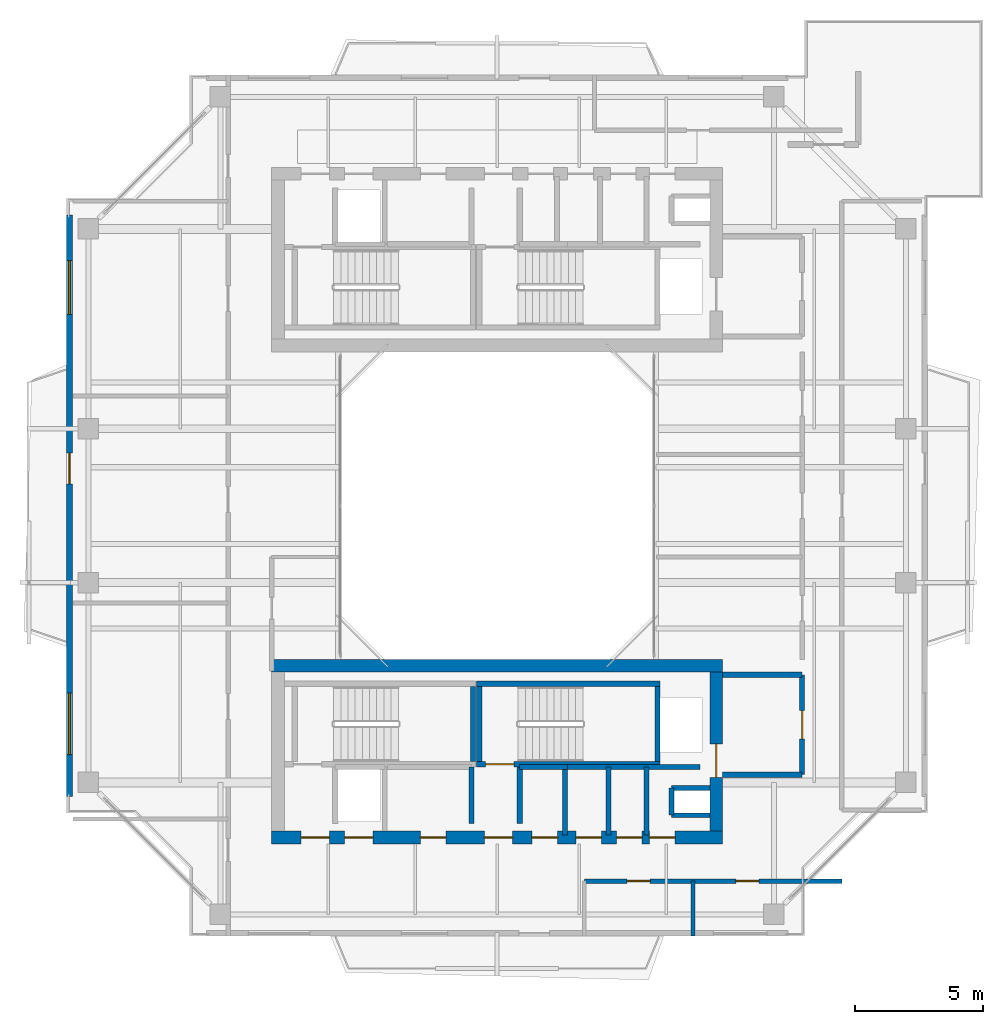
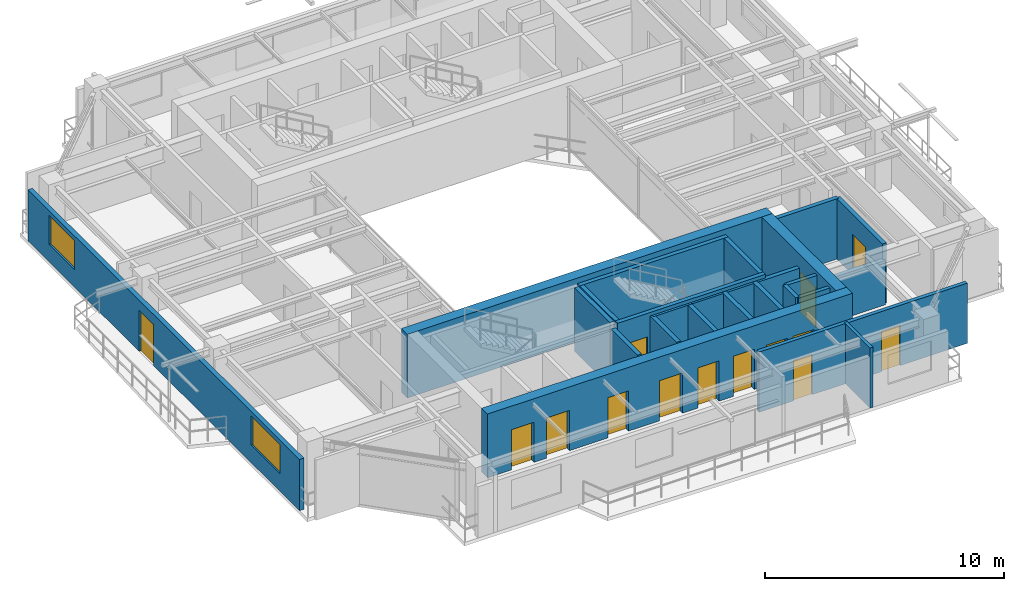
# One storey, part 10 of 16: 24 walls, 14 doors, 2 windows, 16 openings.
"""IFC4 building model written with IfcOpenShell, lengths in metres."""

from ifc_helpers import new_model, si_unit, direction, frame, frame_2d, origin, place, context, subcontext, project, spatial, rectangle, extrude, source, transform, mapped, material, layer, layer_set, type_object, element, fill, save


model = new_model("IFC4")

# Units and contexts
model_context = context("Model", 3, precision=1e-05, world=origin(), true_north=direction((0.0, 1.0)))
body_context = subcontext(model_context, "Body", "Model", "MODEL_VIEW")
ifc_project = project(units=[si_unit("LENGTHUNIT", "METRE"), si_unit("AREAUNIT", "SQUARE_METRE"), si_unit("VOLUMEUNIT", "CUBIC_METRE"), si_unit("PLANEANGLEUNIT", "RADIAN"), si_unit("MASSUNIT", "GRAM", prefix="KILO"), si_unit("THERMODYNAMICTEMPERATUREUNIT", "KELVIN"), si_unit("POWERUNIT", "WATT")], contexts=[model_context])

# Site, building, storey
site_placement = place(None, origin())
site = spatial("IfcSite", under=ifc_project, at=site_placement, CompositionType="ELEMENT")
building_placement = place(site_placement, origin())
building = spatial("IfcBuilding", under=site, at=building_placement, Name="Qiaomeng Ring Towers", CompositionType="ELEMENT")
storey_placement = place(building_placement, frame((0.0, 0.0, 223.0)))
storey = spatial("IfcBuildingStorey", under=building, at=storey_placement, Name="L65", CompositionType="ELEMENT", Elevation=223.0)

# Wall, openings, windows, door
ifc_material_1 = material(Name="Precast concrete C40", Category="concrete")
ifc_layer_1 = layer(ifc_material_1, 0.219970703125, Name="Precast concrete C40")
ifc_layer_set_1 = layer_set([ifc_layer_1], Name="Precast concrete C40")
wall_type_1 = type_object("IfcWallType", Name="ARC-WL-EW2", PredefinedType="STANDARD", material=ifc_layer_set_1)
wall_1_placement = place(storey_placement, frame((2.31005859375, 11.64990234375, 0.0), z_axis=(0.0, 0.0, 1.0), x_axis=(0.0, 1.0, 0.0)))
wall_1 = element("IfcWall", 1, at=wall_1_placement, inside=storey, type_object=wall_type_1, Name="L65 Tower 1 W Exterior Wall", PredefinedType="STANDARD", context=body_context, shape_type="SweptSolid", body=[
    extrude(rectangle(XDim=22.7001953125, YDim=0.219970703125, at=frame_2d((11.35009765625, 0.0))), origin(), (0.0, 0.0, 1.0), 2.610107421875),
])
opening_1_placement = place(wall_1_placement, frame((12.199951171875, 0.0, 0.0)))
opening_1 = element("IfcOpeningElement", 2, at=opening_1_placement, cuts=wall_1, Name="Opening BD1", PredefinedType="OPENING", context=body_context, shape_type="SweptSolid", body=[
    extrude(rectangle(XDim=1.199951171875, YDim=2.10009765625, at=frame_2d((0.60009765625, 1.050048828125))), frame((0.0, 0.119873046875, 0.0), z_axis=(0.0, -1.0, 0.0), x_axis=(1.0, 0.0, 0.0)), (0.0, 0.0, 1.0), 0.239990234375),
])
opening_2_placement = place(wall_1_placement, frame((1.637939453125, 0.0, 0.89990234375)))
opening_2 = element("IfcOpeningElement", 3, at=opening_2_placement, cuts=wall_1, Name="Opening WN6", PredefinedType="OPENING", context=body_context, shape_type="SweptSolid", body=[
    extrude(rectangle(XDim=2.39990234375, YDim=1.47998046875, at=frame_2d((1.199951171875, 0.739990234375))), frame((0.0, 0.119873046875, 0.0), z_axis=(0.0, -1.0, 0.0), x_axis=(1.0, 0.0, 0.0)), (0.0, 0.0, 1.0), 0.239990234375),
])
opening_3_placement = place(wall_1_placement, frame((18.81298828125, 0.0, 0.89990234375)))
opening_3 = element("IfcOpeningElement", 4, at=opening_3_placement, cuts=wall_1, Name="Opening WN4", PredefinedType="OPENING", context=body_context, shape_type="SweptSolid", body=[
    extrude(rectangle(XDim=2.10009765625, YDim=1.47998046875, at=frame_2d((1.050048828125, 0.739990234375))), frame((0.0, 0.119873046875, 0.0), z_axis=(0.0, -1.0, 0.0), x_axis=(1.0, 0.0, 0.0)), (0.0, 0.0, 1.0), 0.239990234375),
])
ifc_material_2 = material(Name="Low-E dark-grey laminated double glazing", Category="glass")
window_type_1 = type_object("IfcWindowType", Name="ARC-WN-4", PartitioningType="TRIPLE_PANEL_VERTICAL", PredefinedType="WINDOW", material=ifc_material_2)
shared_shape_1 = source(origin(), body_context, "Body", "SweptSolid", [
    extrude(rectangle(XDim=2.10009765625, YDim=1.47998046875, at=frame_2d((1.050048828125, 0.739990234375))), frame((0.0, 0.030029296875, 0.0), z_axis=(0.0, -1.0, 0.0), x_axis=(1.0, 0.0, 0.0)), (0.0, 0.0, 1.0), 0.06005859375),
])
window_1_placement = place(opening_3_placement, origin())
window_1 = element("IfcWindow", 5, at=window_1_placement, inside=storey, type_object=window_type_1, Name="L65 Exterior Window WN4", OverallHeight=1.47998046875, OverallWidth=2.10009765625, PartitioningType="TRIPLE_PANEL_VERTICAL", PredefinedType="WINDOW", context=body_context, shape_type="MappedRepresentation", body=[
    mapped(shared_shape_1, transform((0.0, 0.0, 0.0), x_axis=(1.0, 0.0, 0.0), y_axis=(0.0, 1.0, 0.0), z_axis=(0.0, 0.0, 1.0), scale=1.0)),
])
fill(opening_3, window_1)
window_type_2 = type_object("IfcWindowType", Name="ARC-WN-6", PartitioningType="TRIPLE_PANEL_VERTICAL", PredefinedType="WINDOW", material=ifc_material_2)
shared_shape_2 = source(origin(), body_context, "Body", "SweptSolid", [
    extrude(rectangle(XDim=2.39990234375, YDim=1.47998046875, at=frame_2d((1.199951171875, 0.739990234375))), frame((0.0, 0.030029296875, 0.0), z_axis=(0.0, -1.0, 0.0), x_axis=(1.0, 0.0, 0.0)), (0.0, 0.0, 1.0), 0.06005859375),
])
window_2_placement = place(opening_2_placement, origin())
window_2 = element("IfcWindow", 6, at=window_2_placement, inside=storey, type_object=window_type_2, Name="L65 Exterior Window WN6", OverallHeight=1.47998046875, OverallWidth=2.39990234375, PartitioningType="TRIPLE_PANEL_VERTICAL", PredefinedType="WINDOW", context=body_context, shape_type="MappedRepresentation", body=[
    mapped(shared_shape_2, transform((0.0, 0.0, 0.0), x_axis=(1.0, 0.0, 0.0), y_axis=(0.0, 1.0, 0.0), z_axis=(0.0, 0.0, 1.0), scale=1.0)),
])
fill(opening_2, window_2)
door_type_1 = type_object("IfcDoorType", Name="ARC-DR-BD1", OperationType="NOTDEFINED", PredefinedType="DOOR", material=ifc_material_2)
shared_shape_3 = source(origin(), body_context, "Body", "SweptSolid", [
    extrude(rectangle(XDim=1.199951171875, YDim=2.10009765625, at=frame_2d((0.60009765625, 1.050048828125))), frame((0.0, 0.02490234375, 0.0), z_axis=(0.0, -1.0, 0.0), x_axis=(1.0, 0.0, 0.0)), (0.0, 0.0, 1.0), 0.050048828125),
])
door_1_placement = place(opening_1_placement, frame((1.199951171875, 0.0, 0.0), z_axis=(0.0, 0.0, 1.0), x_axis=(-1.0, 0.0, 0.0)))
door_1 = element("IfcDoor", 7, at=door_1_placement, inside=storey, type_object=door_type_1, Name="L65 W Balcony Glazed Door", OperationType="SINGLE_SWING_LEFT", OverallHeight=2.10009765625, OverallWidth=1.199951171875, PredefinedType="DOOR", context=body_context, shape_type="MappedRepresentation", body=[
    mapped(shared_shape_3, transform((0.0, 0.0, 0.0), x_axis=(1.0, 0.0, 0.0), y_axis=(0.0, 1.0, 0.0), z_axis=(0.0, 0.0, 1.0), scale=1.0)),
])
fill(opening_1, door_1)

# Walls
ifc_material_3 = material(Name="Autoclaved aerated concrete block", Category="concrete")
ifc_layer_2 = layer(ifc_material_3, 0.199951171875, Name="Autoclaved aerated concrete block")
ifc_layer_set_2 = layer_set([ifc_layer_2], Name="Autoclaved aerated concrete block")
wall_type_2 = type_object("IfcWallType", Name="ARC-WL-PW1", PredefinedType="PARTITIONING", material=ifc_layer_set_2)
wall_2_placement = place(storey_placement, frame((27.800048828125, 16.39990234375, 0.0), z_axis=(0.0, 0.0, 1.0), x_axis=(1.0, 0.0, 0.0)))
element("IfcWall", 8, at=wall_2_placement, inside=storey, type_object=wall_type_2, Name="L65 Interior Wall PW1", PredefinedType="PARTITIONING", context=body_context, shape_type="SweptSolid", body=[
    extrude(rectangle(XDim=3.099853515625, YDim=0.199951171875, at=frame_2d((1.5498046875, 0.0))), origin(), (0.0, 0.0, 1.0), 3.070068359375),
])
wall_3_placement = place(storey_placement, frame((27.800048828125, 12.5, 0.0), z_axis=(0.0, 0.0, 1.0), x_axis=(1.0, 0.0, 0.0)))
element("IfcWall", 9, at=wall_3_placement, inside=storey, type_object=wall_type_2, Name="L65 Interior Wall PW1", PredefinedType="PARTITIONING", context=body_context, shape_type="SweptSolid", body=[
    extrude(rectangle(XDim=3.099853515625, YDim=0.199951171875, at=frame_2d((1.5498046875, 0.0))), origin(), (0.0, 0.0, 1.0), 2.264892578125),
])

# Wall, opening, door
wall_4_placement = place(storey_placement, frame((30.89990234375, 12.5, 0.0), z_axis=(0.0, 0.0, 1.0), x_axis=(0.0, 1.0, 0.0)))
wall_4 = element("IfcWall", 10, at=wall_4_placement, inside=storey, type_object=wall_type_2, Name="L65 Interior Wall PW1", PredefinedType="PARTITIONING", context=body_context, shape_type="SweptSolid", body=[
    extrude(rectangle(XDim=3.89990234375, YDim=0.199951171875, at=frame_2d((1.949951171875, 0.0))), origin(), (0.0, 0.0, 1.0), 3.070068359375),
])
opening_4_placement = place(wall_4_placement, frame((1.39990234375, 0.0, 0.0)))
opening_4 = element("IfcOpeningElement", 11, at=opening_4_placement, cuts=wall_4, Name="Opening FD3", PredefinedType="OPENING", context=body_context, shape_type="SweptSolid", body=[
    extrude(rectangle(XDim=1.10009765625, YDim=2.050048828125, at=frame_2d((0.550048828125, 1.02490234375))), frame((0.0, 0.10986328125, 0.0), z_axis=(0.0, -1.0, 0.0), x_axis=(1.0, 0.0, 0.0)), (0.0, 0.0, 1.0), 0.219970703125),
])
ifc_material_4 = material(Name="Galvanised steel", Category="steel")
door_type_2 = type_object("IfcDoorType", Name="ARC-DR-FD3", OperationType="NOTDEFINED", PredefinedType="DOOR", material=ifc_material_4)
shared_shape_4 = source(origin(), body_context, "Body", "SweptSolid", [
    extrude(rectangle(XDim=1.10009765625, YDim=2.050048828125, at=frame_2d((0.550048828125, 1.02490234375))), frame((0.0, 0.02490234375, 0.0), z_axis=(0.0, -1.0, 0.0), x_axis=(1.0, 0.0, 0.0)), (0.0, 0.0, 1.0), 0.050048828125),
])
door_2_placement = place(opening_4_placement, origin())
door_2 = element("IfcDoor", 12, at=door_2_placement, inside=storey, type_object=door_type_2, Name="L65 South FF Lobby Door", OperationType="SINGLE_SWING_LEFT", OverallHeight=2.050048828125, OverallWidth=1.10009765625, PredefinedType="DOOR", context=body_context, shape_type="MappedRepresentation", body=[
    mapped(shared_shape_4, transform((0.0, 0.0, 0.0), x_axis=(1.0, 0.0, 0.0), y_axis=(0.0, 1.0, 0.0), z_axis=(0.0, 0.0, 1.0), scale=1.0)),
])
fill(opening_4, door_2)

# Walls
for number, where, z_axis, x_axis, name in (
    (13, (18.0, 10.60009765625, 0.0), (0.0, 0.0, 1.0), (0.0, 1.0, 0.0), "L65 Interior Wall PW1"),
    (14, (19.8798828125, 10.60009765625, 0.0), (0.0, 0.0, 1.0), (0.0, 1.0, 0.0), "L65 Interior Wall PW1"),
):
    element("IfcWall", number, at=place(storey_placement, frame(where, z_axis=z_axis, x_axis=x_axis)), inside=storey, type_object=wall_type_2, Name=name, PredefinedType="PARTITIONING", context=body_context, shape_type="SweptSolid", body=[
        extrude(rectangle(XDim=2.2099609375, YDim=0.199951171875, at=frame_2d((1.10498046875, 0.0))), origin(), (0.0, 0.0, 1.0), 3.070068359375),
    ])
wall_5_placement = place(storey_placement, frame((24.820068359375, 10.14990234375, 0.0), z_axis=(0.0, 0.0, 1.0), x_axis=(0.0, 1.0, 0.0)))
element("IfcWall", 15, at=wall_5_placement, inside=storey, type_object=wall_type_2, Name="L65 Interior Wall PW1", PredefinedType="PARTITIONING", context=body_context, shape_type="SweptSolid", body=[
    extrude(rectangle(XDim=2.650146484375, YDim=0.199951171875, at=frame_2d((1.3251953125, 0.0))), origin(), (0.0, 0.0, 1.0), 3.070068359375),
])
wall_6_placement = place(storey_placement, frame((19.8798828125, 12.800048828125, 0.0), z_axis=(0.0, 0.0, 1.0), x_axis=(1.0, 0.0, 0.0)))
element("IfcWall", 16, at=wall_6_placement, inside=storey, type_object=wall_type_2, Name="L65 Interior Wall PW1", PredefinedType="PARTITIONING", context=body_context, shape_type="SweptSolid", body=[
    extrude(rectangle(XDim=1.8701171875, YDim=0.199951171875, at=frame_2d((0.93505859375, 0.0))), origin(), (0.0, 0.0, 1.0), 3.070068359375),
])
for number, where, z_axis, x_axis, name in (
    (17, (21.639892578125, 10.14990234375, 0.0), (0.0, 0.0, 1.0), (0.0, 1.0, 0.0), "L65 Interior Wall PW1"),
    (18, (23.35009765625, 10.14990234375, 0.0), (0.0, 0.0, 1.0), (0.0, 1.0, 0.0), "L65 Interior Wall PW1"),
):
    element("IfcWall", number, at=place(storey_placement, frame(where, z_axis=z_axis, x_axis=x_axis)), inside=storey, type_object=wall_type_2, Name=name, PredefinedType="PARTITIONING", context=body_context, shape_type="SweptSolid", body=[
        extrude(rectangle(XDim=2.650146484375, YDim=0.199951171875, at=frame_2d((1.3251953125, 0.0))), origin(), (0.0, 0.0, 1.0), 3.070068359375),
    ])
wall_7_placement = place(storey_placement, frame((21.75, 12.800048828125, 0.0), z_axis=(0.0, 0.0, 1.0), x_axis=(1.0, 0.0, 0.0)))
element("IfcWall", 19, at=wall_7_placement, inside=storey, type_object=wall_type_2, Name="L65 Interior Wall PW1", PredefinedType="PARTITIONING", context=body_context, shape_type="SweptSolid", body=[
    extrude(rectangle(XDim=5.169921875, YDim=0.199951171875, at=frame_2d((2.5849609375, 0.0))), origin(), (0.0, 0.0, 1.0), 3.070068359375),
])

# Wall, openings, doors
ifc_layer_3 = layer(ifc_material_3, 0.179931640625, Name="Autoclaved aerated concrete block")
ifc_layer_set_3 = layer_set([ifc_layer_3], Name="Autoclaved aerated concrete block")
wall_type_3 = type_object("IfcWallType", Name="ARC-WL-PW2", PredefinedType="PARTITIONING", material=ifc_layer_set_3)
wall_8_placement = place(storey_placement, frame((22.39990234375, 8.35009765625, 0.0), z_axis=(0.0, 0.0, 1.0), x_axis=(1.0, 0.0, 0.0)))
wall_8 = element("IfcWall", 20, at=wall_8_placement, inside=storey, type_object=wall_type_3, Name="L65 Interior Wall PW2", PredefinedType="PARTITIONING", context=body_context, shape_type="SweptSolid", body=[
    extrude(rectangle(XDim=10.050048828125, YDim=0.179931640625, at=frame_2d((5.02490234375, 0.0))), origin(), (0.0, 0.0, 1.0), 3.070068359375),
])
opening_5_placement = place(wall_8_placement, frame((1.669921875, 0.0, 0.0)))
opening_5 = element("IfcOpeningElement", 21, at=opening_5_placement, cuts=wall_8, Name="Opening ID1", PredefinedType="OPENING", context=body_context, shape_type="SweptSolid", body=[
    extrude(rectangle(XDim=0.89990234375, YDim=2.050048828125, at=frame_2d((0.449951171875, 1.02490234375))), frame((0.0, 0.099853515625, 0.0), z_axis=(0.0, -1.0, 0.0), x_axis=(1.0, 0.0, 0.0)), (0.0, 0.0, 1.0), 0.199951171875),
])
opening_6_placement = place(wall_8_placement, frame((5.909912109375, 0.0, 0.0)))
opening_6 = element("IfcOpeningElement", 22, at=opening_6_placement, cuts=wall_8, Name="Opening ID1", PredefinedType="OPENING", context=body_context, shape_type="SweptSolid", body=[
    extrude(rectangle(XDim=0.89990234375, YDim=2.050048828125, at=frame_2d((0.449951171875, 1.02490234375))), frame((0.0, 0.099853515625, 0.0), z_axis=(0.0, -1.0, 0.0), x_axis=(1.0, 0.0, 0.0)), (0.0, 0.0, 1.0), 0.199951171875),
])
ifc_material_5 = material(Name="Engineered oak timber", Category="wood")
door_type_3 = type_object("IfcDoorType", Name="ARC-DR-ID1", OperationType="NOTDEFINED", PredefinedType="DOOR", material=ifc_material_5)
shared_shape_5 = source(origin(), body_context, "Body", "SweptSolid", [
    extrude(rectangle(XDim=0.89990234375, YDim=2.050048828125, at=frame_2d((0.449951171875, 1.02490234375))), frame((0.0, 0.02490234375, 0.0), z_axis=(0.0, -1.0, 0.0), x_axis=(1.0, 0.0, 0.0)), (0.0, 0.0, 1.0), 0.050048828125),
])
door_3_placement = place(opening_5_placement, origin())
door_3 = element("IfcDoor", 23, at=door_3_placement, inside=storey, type_object=door_type_3, Name="L65 Door ID1", OperationType="SINGLE_SWING_LEFT", OverallHeight=2.050048828125, OverallWidth=0.89990234375, PredefinedType="DOOR", context=body_context, shape_type="MappedRepresentation", body=[
    mapped(shared_shape_5, transform((0.0, 0.0, 0.0), x_axis=(1.0, 0.0, 0.0), y_axis=(0.0, 1.0, 0.0), z_axis=(0.0, 0.0, 1.0), scale=1.0)),
])
fill(opening_5, door_3)
door_4_placement = place(opening_6_placement, origin())
door_4 = element("IfcDoor", 24, at=door_4_placement, inside=storey, type_object=door_type_3, Name="L65 Door ID1", OperationType="SINGLE_SWING_RIGHT", OverallHeight=2.050048828125, OverallWidth=0.89990234375, PredefinedType="DOOR", context=body_context, shape_type="MappedRepresentation", body=[
    mapped(shared_shape_5, transform((0.0, 0.0, 0.0), x_axis=(1.0, 0.0, 0.0), y_axis=(0.0, 1.0, 0.0), z_axis=(0.0, 0.0, 1.0), scale=1.0)),
])
fill(opening_6, door_4)

# Walls
ifc_material_6 = material(Name="Gypsum fireboard steel-stud partition", Category="steel")
ifc_layer_4 = layer(ifc_material_6, 0.14990234375, Name="Gypsum fireboard steel-stud partition")
ifc_layer_set_4 = layer_set([ifc_layer_4], Name="Gypsum fireboard steel-stud partition")
wall_type_4 = type_object("IfcWallType", Name="ARC-WL-PW3", PredefinedType="PARTITIONING", material=ifc_layer_set_4)
wall_9_placement = place(storey_placement, frame((26.639892578125, 6.199951171875, 0.0), z_axis=(0.0, 0.0, 1.0), x_axis=(0.0, 1.0, 0.0)))
element("IfcWall", 25, at=wall_9_placement, inside=storey, type_object=wall_type_4, Name="L65 Interior Wall PW3", PredefinedType="PARTITIONING", context=body_context, shape_type="SweptSolid", body=[
    extrude(rectangle(XDim=2.150146484375, YDim=0.14990234375, at=frame_2d((1.0751953125, 0.0))), origin(), (0.0, 0.0, 1.0), 3.070068359375),
])
ifc_material_7 = material(Name="Concrete C40", Category="concrete")
ifc_layer_5 = layer(ifc_material_7, 0.199951171875, Name="Concrete C40")
ifc_layer_set_5 = layer_set([ifc_layer_5], Name="Concrete C40")
wall_type_5 = type_object("IfcWallType", Name="STR-WL-STSHAFT", PredefinedType="SHEAR", material=ifc_layer_set_5)
wall_10_placement = place(storey_placement, frame((25.800048828125, 10.919921875, 0.0), z_axis=(0.0, 0.0, 1.0), x_axis=(0.0, 1.0, 0.0)))
element("IfcWall", 26, at=wall_10_placement, inside=storey, type_object=wall_type_5, Name="L65 Riser RSR1 West Shaft Wall S", PredefinedType="SHEAR", context=body_context, shape_type="SweptSolid", body=[
    extrude(rectangle(XDim=1.06005859375, YDim=0.179931640625, at=frame_2d((0.530029296875, 0.0))), origin(), (0.0, 0.0, 1.0), 3.070068359375),
])
for number, where, z_axis, x_axis, name in (
    (27, (25.800048828125, 11.97998046875, 0.0), (0.0, 0.0, 1.0), (1.0, 0.0, 0.0), "L65 Riser RSR1 North Shaft Wall S"),
    (28, (25.800048828125, 10.919921875, 0.0), (0.0, 0.0, 1.0), (1.0, 0.0, 0.0), "L65 Riser RSR1 South Shaft Wall S"),
):
    element("IfcWall", number, at=place(storey_placement, frame(where, z_axis=z_axis, x_axis=x_axis)), inside=storey, type_object=wall_type_5, Name=name, PredefinedType="SHEAR", context=body_context, shape_type="SweptSolid", body=[
        extrude(rectangle(XDim=1.5, YDim=0.179931640625, at=frame_2d((0.75, 0.0))), origin(), (0.0, 0.0, 1.0), 3.070068359375),
    ])
wall_11_placement = place(storey_placement, frame((18.050048828125, 13.010009765625, 0.0), z_axis=(0.0, 0.0, 1.0), x_axis=(0.0, 1.0, 0.0)))
element("IfcWall", 29, at=wall_11_placement, inside=storey, type_object=wall_type_5, Name="L65 Stair ST3 East Shaft Shear Wall", PredefinedType="SHEAR", context=body_context, shape_type="SweptSolid", body=[
    extrude(rectangle(XDim=2.93994140625, YDim=0.199951171875, at=frame_2d((1.469970703125, 0.0))), origin(), (0.0, 0.0, 1.0), 3.25),
])

# Wall, opening, door
wall_12_placement = place(storey_placement, frame((18.199951171875, 12.909912109375, 0.0), z_axis=(0.0, 0.0, 1.0), x_axis=(1.0, 0.0, 0.0)))
wall_12 = element("IfcWall", 30, at=wall_12_placement, inside=storey, type_object=wall_type_5, Name="L65 Stair ST4 South Shaft Shear Wall", PredefinedType="SHEAR", context=body_context, shape_type="SweptSolid", body=[
    extrude(rectangle(XDim=7.150146484375, YDim=0.199951171875, at=frame_2d((3.5751953125, 0.0))), origin(), (0.0, 0.0, 1.0), 3.25),
])
opening_7_placement = place(wall_12_placement, frame((0.35009765625, 0.0, 0.0)))
opening_7 = element("IfcOpeningElement", 31, at=opening_7_placement, cuts=wall_12, Name="Opening FD3", PredefinedType="OPENING", context=body_context, shape_type="SweptSolid", body=[
    extrude(rectangle(XDim=1.10009765625, YDim=2.050048828125, at=frame_2d((0.550048828125, 1.02490234375))), frame((0.0, 0.10986328125, 0.0), z_axis=(0.0, -1.0, 0.0), x_axis=(1.0, 0.0, 0.0)), (0.0, 0.0, 1.0), 0.219970703125),
])
door_5_placement = place(opening_7_placement, frame((1.10009765625, 0.0, 0.0), z_axis=(0.0, 0.0, 1.0), x_axis=(-1.0, 0.0, 0.0)))
door_5 = element("IfcDoor", 32, at=door_5_placement, inside=storey, type_object=door_type_2, Name="L65 Stair ST4 Exit Door", OperationType="SINGLE_SWING_LEFT", OverallHeight=2.050048828125, OverallWidth=1.10009765625, PredefinedType="DOOR", context=body_context, shape_type="MappedRepresentation", body=[
    mapped(shared_shape_4, transform((0.0, 0.0, 0.0), x_axis=(1.0, 0.0, 0.0), y_axis=(0.0, 1.0, 0.0), z_axis=(0.0, 0.0, 1.0), scale=1.0)),
])
fill(opening_7, door_5)

# Walls
wall_13_placement = place(storey_placement, frame((18.199951171875, 16.050048828125, 0.0), z_axis=(0.0, 0.0, 1.0), x_axis=(1.0, 0.0, 0.0)))
element("IfcWall", 33, at=wall_13_placement, inside=storey, type_object=wall_type_5, Name="L65 Stair ST4 North Shaft Shear Wall", PredefinedType="SHEAR", context=body_context, shape_type="SweptSolid", body=[
    extrude(rectangle(XDim=7.150146484375, YDim=0.199951171875, at=frame_2d((3.5751953125, 0.0))), origin(), (0.0, 0.0, 1.0), 3.25),
])
for number, where, z_axis, x_axis, name in (
    (34, (18.300048828125, 13.010009765625, 0.0), (0.0, 0.0, 1.0), (0.0, 1.0, 0.0), "L65 Stair ST4 West Shaft Shear Wall"),
    (35, (25.25, 13.010009765625, 0.0), (0.0, 0.0, 1.0), (0.0, 1.0, 0.0), "L65 Stair ST4 East Shaft Shear Wall"),
):
    element("IfcWall", number, at=place(storey_placement, frame(where, z_axis=z_axis, x_axis=x_axis)), inside=storey, type_object=wall_type_5, Name=name, PredefinedType="SHEAR", context=body_context, shape_type="SweptSolid", body=[
        extrude(rectangle(XDim=2.93994140625, YDim=0.199951171875, at=frame_2d((1.469970703125, 0.0))), origin(), (0.0, 0.0, 1.0), 3.25),
    ])

# Wall, openings, doors
ifc_layer_6 = layer(ifc_material_7, 0.5, Name="Concrete C40")
ifc_layer_set_6 = layer_set([ifc_layer_6], Name="Concrete C40")
wall_type_6 = type_object("IfcWallType", Name="STR-WL-SW3", PredefinedType="SHEAR", material=ifc_layer_set_6)
wall_14_placement = place(storey_placement, frame((10.199951171875, 10.050048828125, 0.0), z_axis=(0.0, 0.0, 1.0), x_axis=(1.0, 0.0, 0.0)))
wall_14 = element("IfcWall", 36, at=wall_14_placement, inside=storey, type_object=wall_type_6, Name="L65 T1SC south core shear wall", PredefinedType="SHEAR", context=body_context, shape_type="SweptSolid", body=[
    extrude(rectangle(XDim=17.60009765625, YDim=0.5, at=frame_2d((8.800048828125, 0.0))), origin(), (0.0, 0.0, 1.0), 3.25),
])
opening_8_placement = place(wall_14_placement, frame((1.14990234375, 0.0, 0.0)))
opening_8 = element("IfcOpeningElement", 37, at=opening_8_placement, cuts=wall_14, Name="Opening FD3", PredefinedType="OPENING", context=body_context, shape_type="SweptSolid", body=[
    extrude(rectangle(XDim=1.10009765625, YDim=2.050048828125, at=frame_2d((0.550048828125, 1.02490234375))), frame((0.0, 0.260009765625, 0.0), z_axis=(0.0, -1.0, 0.0), x_axis=(1.0, 0.0, 0.0)), (0.0, 0.0, 1.0), 0.52001953125),
])
opening_9_placement = place(wall_14_placement, frame((8.300048828125, 0.0, 0.0)))
opening_9 = element("IfcOpeningElement", 38, at=opening_9_placement, cuts=wall_14, Name="Opening FD3", PredefinedType="OPENING", context=body_context, shape_type="SweptSolid", body=[
    extrude(rectangle(XDim=1.10009765625, YDim=2.050048828125, at=frame_2d((0.550048828125, 1.02490234375))), frame((0.0, 0.260009765625, 0.0), z_axis=(0.0, -1.0, 0.0), x_axis=(1.0, 0.0, 0.0)), (0.0, 0.0, 1.0), 0.52001953125),
])
opening_10_placement = place(wall_14_placement, frame((2.85009765625, 0.0, 0.0)))
opening_10 = element("IfcOpeningElement", 39, at=opening_10_placement, cuts=wall_14, Name="Opening LD1", PredefinedType="OPENING", context=body_context, shape_type="SweptSolid", body=[
    extrude(rectangle(XDim=1.10009765625, YDim=2.050048828125, at=frame_2d((0.550048828125, 1.02490234375))), frame((0.0, 0.260009765625, 0.0), z_axis=(0.0, -1.0, 0.0), x_axis=(1.0, 0.0, 0.0)), (0.0, 0.0, 1.0), 0.52001953125),
])
opening_11_placement = place(wall_14_placement, frame((5.800048828125, 0.0, 0.0)))
opening_11 = element("IfcOpeningElement", 40, at=opening_11_placement, cuts=wall_14, Name="Opening FD1", PredefinedType="OPENING", context=body_context, shape_type="SweptSolid", body=[
    extrude(rectangle(XDim=1.0, YDim=2.050048828125, at=frame_2d((0.5, 1.02490234375))), frame((0.0, 0.260009765625, 0.0), z_axis=(0.0, -1.0, 0.0), x_axis=(1.0, 0.0, 0.0)), (0.0, 0.0, 1.0), 0.52001953125),
])
opening_12_placement = place(wall_14_placement, frame((14.739990234375, 0.0, 0.0)))
opening_12 = element("IfcOpeningElement", 41, at=opening_12_placement, cuts=wall_14, Name="Opening FD1", PredefinedType="OPENING", context=body_context, shape_type="SweptSolid", body=[
    extrude(rectangle(XDim=1.0, YDim=2.050048828125, at=frame_2d((0.5, 1.02490234375))), frame((0.0, 0.260009765625, 0.0), z_axis=(0.0, -1.0, 0.0), x_axis=(1.0, 0.0, 0.0)), (0.0, 0.0, 1.0), 0.52001953125),
])
opening_13_placement = place(wall_14_placement, frame((10.155029296875, 0.0, 0.0)))
opening_13 = element("IfcOpeningElement", 42, at=opening_13_placement, cuts=wall_14, Name="Opening FD1", PredefinedType="OPENING", context=body_context, shape_type="SweptSolid", body=[
    extrude(rectangle(XDim=1.0, YDim=2.050048828125, at=frame_2d((0.5, 1.02490234375))), frame((0.0, 0.260009765625, 0.0), z_axis=(0.0, -1.0, 0.0), x_axis=(1.0, 0.0, 0.0)), (0.0, 0.0, 1.0), 0.52001953125),
])
opening_14_placement = place(wall_14_placement, frame((11.8701171875, 0.0, 0.0)))
opening_14 = element("IfcOpeningElement", 43, at=opening_14_placement, cuts=wall_14, Name="Opening FD1", PredefinedType="OPENING", context=body_context, shape_type="SweptSolid", body=[
    extrude(rectangle(XDim=1.0, YDim=2.050048828125, at=frame_2d((0.5, 1.02490234375))), frame((0.0, 0.260009765625, 0.0), z_axis=(0.0, -1.0, 0.0), x_axis=(1.0, 0.0, 0.0)), (0.0, 0.0, 1.0), 0.52001953125),
])
opening_15_placement = place(wall_14_placement, frame((13.4599609375, 0.0, 0.0)))
opening_15 = element("IfcOpeningElement", 44, at=opening_15_placement, cuts=wall_14, Name="Opening FD1", PredefinedType="OPENING", context=body_context, shape_type="SweptSolid", body=[
    extrude(rectangle(XDim=1.0, YDim=2.050048828125, at=frame_2d((0.5, 1.02490234375))), frame((0.0, 0.260009765625, 0.0), z_axis=(0.0, -1.0, 0.0), x_axis=(1.0, 0.0, 0.0)), (0.0, 0.0, 1.0), 0.52001953125),
])
door_6_placement = place(opening_8_placement, origin())
door_6 = element("IfcDoor", 45, at=door_6_placement, inside=storey, type_object=door_type_2, Name="L65 Stair ST3 Lobby Door", OperationType="SINGLE_SWING_RIGHT", OverallHeight=2.050048828125, OverallWidth=1.10009765625, PredefinedType="DOOR", context=body_context, shape_type="MappedRepresentation", body=[
    mapped(shared_shape_4, transform((0.0, 0.0, 0.0), x_axis=(1.0, 0.0, 0.0), y_axis=(0.0, 1.0, 0.0), z_axis=(0.0, 0.0, 1.0), scale=1.0)),
])
fill(opening_8, door_6)
door_7_placement = place(opening_9_placement, origin())
door_7 = element("IfcDoor", 46, at=door_7_placement, inside=storey, type_object=door_type_2, Name="L65 Stair ST4 Lobby Door", OperationType="SINGLE_SWING_RIGHT", OverallHeight=2.050048828125, OverallWidth=1.10009765625, PredefinedType="DOOR", context=body_context, shape_type="MappedRepresentation", body=[
    mapped(shared_shape_4, transform((0.0, 0.0, 0.0), x_axis=(1.0, 0.0, 0.0), y_axis=(0.0, 1.0, 0.0), z_axis=(0.0, 0.0, 1.0), scale=1.0)),
])
fill(opening_9, door_7)
ifc_material_8 = material(Name="Stainless steel 316", Category="steel")
door_type_4 = type_object("IfcDoorType", Name="ARC-DR-LD1", OperationType="NOTDEFINED", PredefinedType="DOOR", material=ifc_material_8)
door_8_placement = place(opening_10_placement, origin())
door_8 = element("IfcDoor", 47, at=door_8_placement, inside=storey, type_object=door_type_4, Name="L65 High-Zone Lift LP6 Landing Door", OperationType="SLIDING_TO_RIGHT", OverallHeight=2.050048828125, OverallWidth=1.10009765625, PredefinedType="DOOR", context=body_context, shape_type="MappedRepresentation", body=[
    mapped(shared_shape_4, transform((0.0, 0.0, 0.0), x_axis=(1.0, 0.0, 0.0), y_axis=(0.0, 1.0, 0.0), z_axis=(0.0, 0.0, 1.0), scale=1.0)),
])
fill(opening_10, door_8)
door_type_5 = type_object("IfcDoorType", Name="ARC-DR-FD1", OperationType="NOTDEFINED", PredefinedType="DOOR", material=ifc_material_4)
shared_shape_6 = source(origin(), body_context, "Body", "SweptSolid", [
    extrude(rectangle(XDim=1.0, YDim=2.050048828125, at=frame_2d((0.5, 1.02490234375))), frame((0.0, 0.02490234375, 0.0), z_axis=(0.0, -1.0, 0.0), x_axis=(1.0, 0.0, 0.0)), (0.0, 0.0, 1.0), 0.050048828125),
])
door_9_placement = place(opening_11_placement, origin())
door_9 = element("IfcDoor", 48, at=door_9_placement, inside=storey, type_object=door_type_5, Name="L65 High-Zone Freed Core Room Door", OperationType="SINGLE_SWING_LEFT", OverallHeight=2.050048828125, OverallWidth=1.0, PredefinedType="DOOR", context=body_context, shape_type="MappedRepresentation", body=[
    mapped(shared_shape_6, transform((0.0, 0.0, 0.0), x_axis=(1.0, 0.0, 0.0), y_axis=(0.0, 1.0, 0.0), z_axis=(0.0, 0.0, 1.0), scale=1.0)),
])
fill(opening_11, door_9)
door_10_placement = place(opening_12_placement, origin())
door_10 = element("IfcDoor", 49, at=door_10_placement, inside=storey, type_object=door_type_5, Name="L65 South Electrical Riser Door", OperationType="SINGLE_SWING_LEFT", OverallHeight=2.050048828125, OverallWidth=1.0, PredefinedType="DOOR", context=body_context, shape_type="MappedRepresentation", body=[
    mapped(shared_shape_6, transform((0.0, 0.0, 0.0), x_axis=(1.0, 0.0, 0.0), y_axis=(0.0, 1.0, 0.0), z_axis=(0.0, 0.0, 1.0), scale=1.0)),
])
fill(opening_12, door_10)
door_11_placement = place(opening_13_placement, origin())
door_11 = element("IfcDoor", 50, at=door_11_placement, inside=storey, type_object=door_type_5, Name="L65 South Break Lounge Door", OperationType="SINGLE_SWING_LEFT", OverallHeight=2.050048828125, OverallWidth=1.0, PredefinedType="DOOR", context=body_context, shape_type="MappedRepresentation", body=[
    mapped(shared_shape_6, transform((0.0, 0.0, 0.0), x_axis=(1.0, 0.0, 0.0), y_axis=(0.0, 1.0, 0.0), z_axis=(0.0, 0.0, 1.0), scale=1.0)),
])
fill(opening_13, door_11)
door_12_placement = place(opening_14_placement, origin())
door_12 = element("IfcDoor", 51, at=door_12_placement, inside=storey, type_object=door_type_5, Name="L65 South Consultation Study Door", OperationType="SINGLE_SWING_RIGHT", OverallHeight=2.050048828125, OverallWidth=1.0, PredefinedType="DOOR", context=body_context, shape_type="MappedRepresentation", body=[
    mapped(shared_shape_6, transform((0.0, 0.0, 0.0), x_axis=(1.0, 0.0, 0.0), y_axis=(0.0, 1.0, 0.0), z_axis=(0.0, 0.0, 1.0), scale=1.0)),
])
fill(opening_14, door_12)
door_13_placement = place(opening_15_placement, origin())
door_13 = element("IfcDoor", 52, at=door_13_placement, inside=storey, type_object=door_type_5, Name="L65 South Tea Pantry Door", OperationType="SINGLE_SWING_LEFT", OverallHeight=2.050048828125, OverallWidth=1.0, PredefinedType="DOOR", context=body_context, shape_type="MappedRepresentation", body=[
    mapped(shared_shape_6, transform((0.0, 0.0, 0.0), x_axis=(1.0, 0.0, 0.0), y_axis=(0.0, 1.0, 0.0), z_axis=(0.0, 0.0, 1.0), scale=1.0)),
])
fill(opening_15, door_13)

# Wall
wall_15_placement = place(storey_placement, frame((10.199951171875, 16.75, 0.0), z_axis=(0.0, 0.0, 1.0), x_axis=(1.0, 0.0, 0.0)))
element("IfcWall", 53, at=wall_15_placement, inside=storey, type_object=wall_type_6, Name="L65 T1SC north core shear wall", PredefinedType="SHEAR", context=body_context, shape_type="SweptSolid", body=[
    extrude(rectangle(XDim=17.60009765625, YDim=0.5, at=frame_2d((8.800048828125, 0.0))), origin(), (0.0, 0.0, 1.0), 3.25),
])

# Wall, opening, door
wall_16_placement = place(storey_placement, frame((27.550048828125, 10.300048828125, 0.0), z_axis=(0.0, 0.0, 1.0), x_axis=(0.0, 1.0, 0.0)))
wall_16 = element("IfcWall", 54, at=wall_16_placement, inside=storey, type_object=wall_type_6, Name="L65 T1SC east core shear wall", PredefinedType="SHEAR", context=body_context, shape_type="SweptSolid", body=[
    extrude(rectangle(XDim=6.199951171875, YDim=0.5, at=frame_2d((3.10009765625, 0.0))), origin(), (0.0, 0.0, 1.0), 3.25),
])
opening_16_placement = place(wall_16_placement, frame((2.10009765625, 0.0, 0.0)))
opening_16 = element("IfcOpeningElement", 55, at=opening_16_placement, cuts=wall_16, Name="Opening LD2", PredefinedType="OPENING", context=body_context, shape_type="SweptSolid", body=[
    extrude(rectangle(XDim=1.300048828125, YDim=2.050048828125, at=frame_2d((0.64990234375, 1.02490234375))), frame((0.0, 0.260009765625, 0.0), z_axis=(0.0, -1.0, 0.0), x_axis=(1.0, 0.0, 0.0)), (0.0, 0.0, 1.0), 0.52001953125),
])
door_type_6 = type_object("IfcDoorType", Name="ARC-DR-LD2", OperationType="NOTDEFINED", PredefinedType="DOOR", material=ifc_material_8)
shared_shape_7 = source(origin(), body_context, "Body", "SweptSolid", [
    extrude(rectangle(XDim=1.300048828125, YDim=2.050048828125, at=frame_2d((0.64990234375, 1.02490234375))), frame((0.0, 0.02490234375, 0.0), z_axis=(0.0, -1.0, 0.0), x_axis=(1.0, 0.0, 0.0)), (0.0, 0.0, 1.0), 0.050048828125),
])
door_14_placement = place(opening_16_placement, origin())
door_14 = element("IfcDoor", 56, at=door_14_placement, inside=storey, type_object=door_type_6, Name="L65 Firefighting Lift FL2 Landing Door", OperationType="SLIDING_TO_RIGHT", OverallHeight=2.050048828125, OverallWidth=1.300048828125, PredefinedType="DOOR", context=body_context, shape_type="MappedRepresentation", body=[
    mapped(shared_shape_7, transform((0.0, 0.0, 0.0), x_axis=(1.0, 0.0, 0.0), y_axis=(0.0, 1.0, 0.0), z_axis=(0.0, 0.0, 1.0), scale=1.0)),
])
fill(opening_16, door_14)

save(model, "model.ifc")
